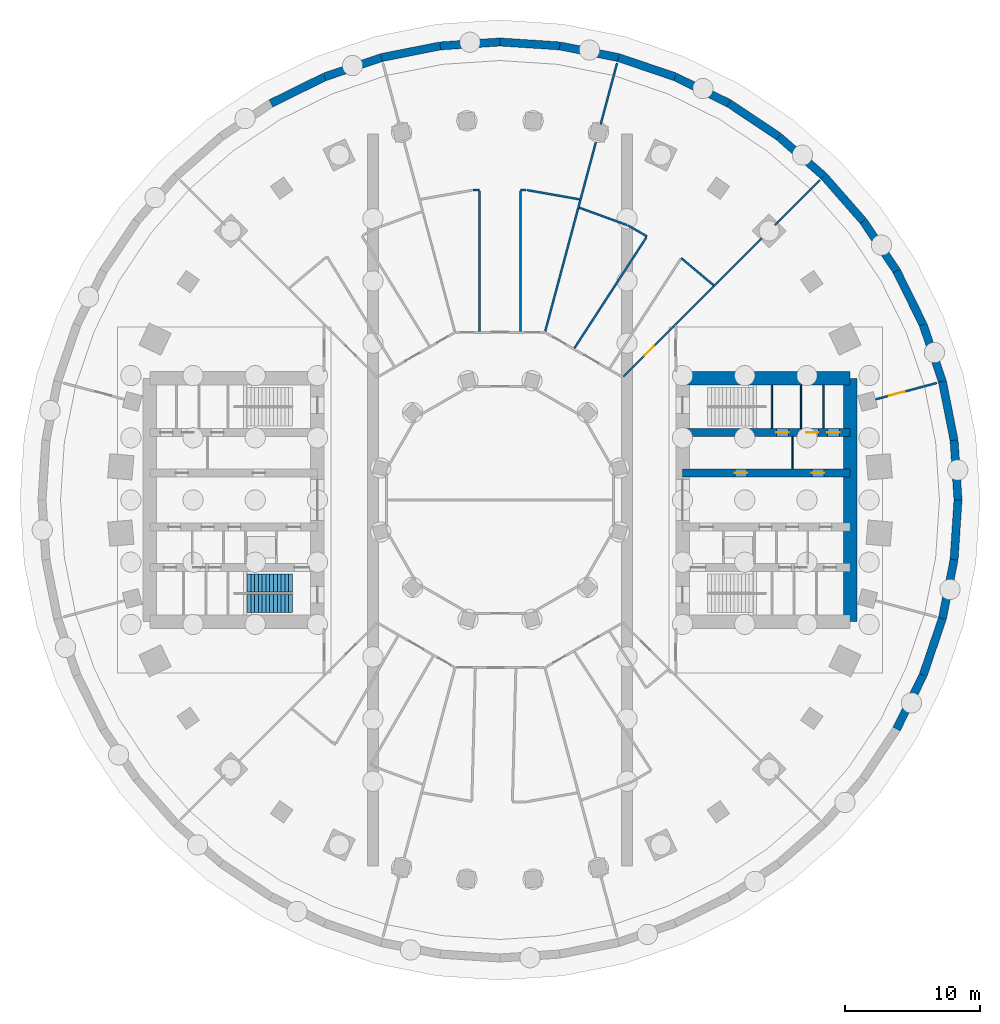
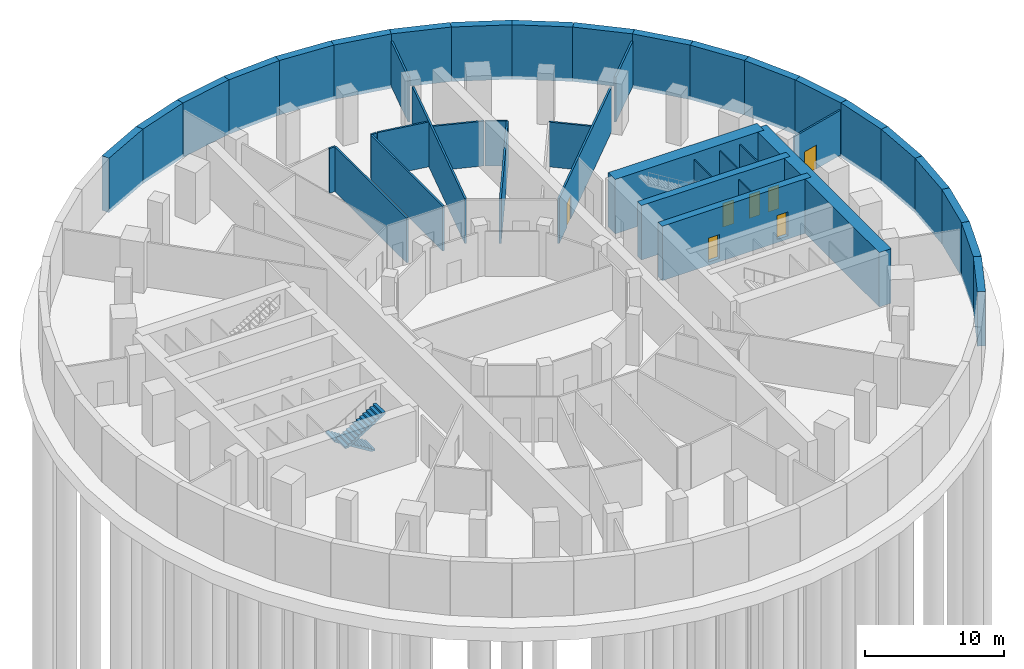
# One storey, part 7 of 10: 42 walls, 7 doors, 2 stair flights, 7 openings, 1 element without a shape of its own.
"""IFC4 building model written with IfcOpenShell, lengths in metres."""

from ifc_helpers import new_model, si_unit, direction, frame, frame_2d, origin, place, context, subcontext, project, spatial, polyline, rectangle, outline, extrude, material, layer, layer_set, type_object, element, fill, aggregate, save


model = new_model("IFC4")

# Units and contexts
model_context = context("Model", 3, precision=1e-05, world=origin(), true_north=direction((0.0, 1.0)))
body_context = subcontext(model_context, "Body", "Model", "MODEL_VIEW")
ifc_project = project(units=[si_unit("LENGTHUNIT", "METRE"), si_unit("AREAUNIT", "SQUARE_METRE"), si_unit("VOLUMEUNIT", "CUBIC_METRE"), si_unit("PLANEANGLEUNIT", "RADIAN"), si_unit("MASSUNIT", "GRAM", prefix="KILO")], contexts=[model_context])

# Site, building, storey
site_placement = place(None, origin())
site = spatial("IfcSite", under=ifc_project, at=site_placement, CompositionType="ELEMENT")
building_placement = place(site_placement, origin())
building = spatial("IfcBuilding", under=site, at=building_placement, Name="Saqina Gate Tower", CompositionType="ELEMENT")
storey_placement = place(building_placement, frame((0.0, 0.0, -9.0)))
storey = spatial("IfcBuildingStorey", under=building, at=storey_placement, Name="B2", CompositionType="ELEMENT", Elevation=-9.0)

# Walls
ifc_material_1 = material(Name="Gypsum board on steel studs", Category="steel")
ifc_layer_1 = layer(ifc_material_1, 0.10009765625)
ifc_layer_set_1 = layer_set([ifc_layer_1], Name="CORE PARTITION")
wall_type_1 = type_object("IfcWallType", Name="CORE PARTITION", PredefinedType="PARTITIONING", material=ifc_layer_set_1)
wall_1_placement = place(storey_placement, frame((21.637939453125, 2.300048828125, 0.0), z_axis=(0.0, 0.0, 1.0), x_axis=(0.0, 1.0, 0.0)))
element("IfcWall", 1, at=wall_1_placement, inside=storey, type_object=wall_type_1, Name="B2-CP-E01", PredefinedType="PARTITIONING", context=body_context, shape_type="SweptSolid", body=[
    extrude(rectangle(XDim=2.39990234375, YDim=0.10009765625, at=frame_2d((1.199951171875, 0.0))), origin(), (0.0, 0.0, 1.0), 3.949951171875),
])
for number, where, z_axis, x_axis, name in (
    (2, (22.256103515625, 5.300048828125, 0.0), (0.0, 0.0, 1.0), (0.0, 1.0, 0.0), "B2-CP-E07"),
    (3, (23.932861328125, 5.300048828125, 0.0), (0.0, 0.0, 1.0), (0.0, 1.0, 0.0), "B2-CP-E08"),
):
    element("IfcWall", number, at=place(storey_placement, frame(where, z_axis=z_axis, x_axis=x_axis)), inside=storey, type_object=wall_type_1, Name=name, PredefinedType="PARTITIONING", context=body_context, shape_type="SweptSolid", body=[
        extrude(rectangle(XDim=3.199951171875, YDim=0.10009765625, at=frame_2d((1.60009765625, 0.0))), origin(), (0.0, 0.0, 1.0), 3.949951171875),
    ])
ifc_material_2 = material(Name="Masonry block and plaster, 150 mm, fire rated", Category="masonry")
ifc_layer_2 = layer(ifc_material_2, 0.14990234375)
ifc_layer_set_2 = layer_set([ifc_layer_2], Name="SPECIAL PARTITION EI 60 150")
wall_type_2 = type_object("IfcWallType", Name="SPECIAL PARTITION EI 60 150", PredefinedType="PARTITIONING", material=ifc_layer_set_2)
wall_2_placement = place(storey_placement, frame((13.405029296875, 17.887939453125, 0.0), z_axis=(0.0, 0.0, 1.0), x_axis=(0.766130386508, -0.642685172436, 0.0)))
element("IfcWall", 4, at=wall_2_placement, inside=storey, type_object=wall_type_2, Name="PARTITION 017", PredefinedType="PARTITIONING", context=body_context, shape_type="SweptSolid", body=[
    extrude(rectangle(XDim=3.10693359375, YDim=0.14990234375, at=frame_2d((1.553466796875, 0.0))), origin(), (0.0, 0.0, 1.0), 3.949951171875),
])
wall_3_placement = place(storey_placement, frame((9.468994140625, 20.305908203125, 0.0), z_axis=(0.0, 0.0, 1.0), x_axis=(0.866092740453, -0.499883351328, 0.0)))
element("IfcWall", 5, at=wall_3_placement, inside=storey, type_object=wall_type_2, Name="PARTITION 024", PredefinedType="PARTITIONING", context=body_context, shape_type="SweptSolid", body=[
    extrude(rectangle(XDim=1.6201171875, YDim=0.14990234375, at=frame_2d((0.81005859375, 0.0))), origin(), (0.0, 0.0, 1.0), 3.949951171875),
])
wall_4_placement = place(storey_placement, frame((5.869384765625, 21.6162109375, 0.0), z_axis=(0.0, 0.0, 1.0), x_axis=(0.939696584941, -0.342009251703, 0.0)))
element("IfcWall", 6, at=wall_4_placement, inside=storey, type_object=wall_type_2, Name="PARTITION 026", PredefinedType="PARTITIONING", context=body_context, shape_type="SweptSolid", body=[
    extrude(rectangle(XDim=3.755615234375, YDim=0.14990234375, at=frame_2d((1.8779296875, 0.0))), origin(), (0.0, 0.0, 1.0), 3.949951171875),
])
wall_5_placement = place(storey_placement, frame((2.0048828125, 22.919921875, 0.0), z_axis=(0.0, 0.0, 1.0), x_axis=(0.984834721233, -0.173495163777, 0.0)))
element("IfcWall", 7, at=wall_5_placement, inside=storey, type_object=wall_type_2, Name="PARTITION 030", PredefinedType="PARTITIONING", context=body_context, shape_type="SweptSolid", body=[
    extrude(rectangle(XDim=3.935791015625, YDim=0.14990234375, at=frame_2d((1.9677734375, 0.0))), origin(), (0.0, 0.0, 1.0), 3.949951171875),
])
wall_6_placement = place(storey_placement, frame((-2.0048828125, 22.919921875, 0.0), z_axis=(0.0, 0.0, 1.0), x_axis=(1.0, 0.0, 0.0)))
element("IfcWall", 8, at=wall_6_placement, inside=storey, type_object=wall_type_2, Name="PARTITION 037", PredefinedType="PARTITIONING", context=body_context, shape_type="SweptSolid", body=[
    extrude(rectangle(XDim=0.5048828125, YDim=0.14990234375, at=frame_2d((0.25244140625, 0.0))), origin(), (0.0, 0.0, 1.0), 3.949951171875),
])
wall_7_placement = place(storey_placement, frame((1.5, 22.919921875, 0.0), z_axis=(0.0, 0.0, 1.0), x_axis=(1.0, 0.0, 0.0)))
element("IfcWall", 9, at=wall_7_placement, inside=storey, type_object=wall_type_2, Name="PARTITION 038", PredefinedType="PARTITIONING", context=body_context, shape_type="SweptSolid", body=[
    extrude(rectangle(XDim=0.429931640625, YDim=0.14990234375, at=frame_2d((0.21484375, 0.0))), origin(), (0.0, 0.0, 1.0), 3.949951171875),
])

# Wall, opening, door
wall_8_placement = place(storey_placement, frame((27.780029296875, 7.44384765625, 0.0), z_axis=(0.0, 0.0, 1.0), x_axis=(0.965934336634, 0.258787281972, 0.0)))
wall_8 = element("IfcWall", 10, at=wall_8_placement, inside=storey, type_object=wall_type_2, Name="PARTITION 042", PredefinedType="PARTITIONING", context=body_context, shape_type="SweptSolid", body=[
    extrude(rectangle(XDim=4.687744140625, YDim=0.14990234375, at=frame_2d((2.34375, 0.0))), origin(), (0.0, 0.0, 1.0), 3.949951171875),
])
opening_1_placement = place(wall_8_placement, frame((1.029541015625, 0.0, 0.0)))
opening_1 = element("IfcOpeningElement", 11, at=opening_1_placement, cuts=wall_8, Name="Opening B2-D01", PredefinedType="OPENING", context=body_context, shape_type="SweptSolid", body=[
    extrude(rectangle(XDim=1.199951171875, YDim=2.10009765625, at=frame_2d((0.60009765625, 1.050048828125))), frame((0.0, 0.0869140625, 0.0), z_axis=(0.0, -1.0, 0.0), x_axis=(1.0, 0.0, 0.0)), (0.0, 0.0, 1.0), 0.173828125),
])
ifc_material_3 = material(Name="Steel-framed fire door leaf, EI 60", Category="steel")
door_type_1 = type_object("IfcDoorType", Name="SPECIAL DOOR 1200 FIRE EI 60", OperationType="SINGLE_SWING_LEFT", PredefinedType="DOOR", material=ifc_material_3)
door_1_placement = place(opening_1_placement, origin())
door_1 = element("IfcDoor", 12, at=door_1_placement, inside=storey, type_object=door_type_1, Name="DOOR B2-D01", OperationType="SINGLE_SWING_LEFT", OverallHeight=2.10009765625, OverallWidth=1.199951171875, PredefinedType="DOOR", context=body_context, shape_type="SweptSolid", body=[
    extrude(rectangle(XDim=1.199951171875, YDim=2.10009765625, at=frame_2d((0.60009765625, 1.050048828125))), frame((0.0, 0.02490234375, 0.0), z_axis=(0.0, -1.0, 0.0), x_axis=(1.0, 0.0, 0.0)), (0.0, 0.0, 1.0), 0.050048828125),
])
fill(opening_1, door_1)

wall_9_placement = place(storey_placement, frame((9.1298828125, 9.1298828125, 0.0), z_axis=(0.0, 0.0, 1.0), x_axis=(0.707106781187, 0.707106781187, 0.0)))
wall_9 = element("IfcWall", 13, at=wall_9_placement, inside=storey, type_object=wall_type_2, Name="PARTITION 055", PredefinedType="PARTITIONING", context=body_context, shape_type="SweptSolid", body=[
    extrude(rectangle(XDim=14.628173828125, YDim=0.14990234375, at=frame_2d((7.31396484375, 0.0))), origin(), (0.0, 0.0, 1.0), 3.949951171875),
])
opening_2_placement = place(wall_9_placement, frame((2.201171875, 0.0, 0.0)))
opening_2 = element("IfcOpeningElement", 14, at=opening_2_placement, cuts=wall_9, Name="Opening B2-D03", PredefinedType="OPENING", context=body_context, shape_type="SweptSolid", body=[
    extrude(rectangle(XDim=1.0, YDim=2.10009765625, at=frame_2d((0.5, 1.050048828125))), frame((0.0, 0.0869140625, 0.0), z_axis=(0.0, -1.0, 0.0), x_axis=(1.0, 0.0, 0.0)), (0.0, 0.0, 1.0), 0.173828125),
])
ifc_material_4 = material(Name="Steel-framed fire door leaf, EI 60", Category="steel")
door_type_2 = type_object("IfcDoorType", Name="SPECIAL DOOR 1000 FIRE EI 60", OperationType="SINGLE_SWING_LEFT", PredefinedType="DOOR", material=ifc_material_4)
door_2_placement = place(opening_2_placement, origin())
door_2 = element("IfcDoor", 15, at=door_2_placement, inside=storey, type_object=door_type_2, Name="DOOR B2-D03", OperationType="SINGLE_SWING_LEFT", OverallHeight=2.10009765625, OverallWidth=1.0, PredefinedType="DOOR", context=body_context, shape_type="SweptSolid", body=[
    extrude(rectangle(XDim=1.0, YDim=2.10009765625, at=frame_2d((0.5, 1.050048828125))), frame((0.0, 0.02490234375, 0.0), z_axis=(0.0, -1.0, 0.0), x_axis=(1.0, 0.0, 0.0)), (0.0, 0.0, 1.0), 0.050048828125),
])
fill(opening_2, door_2)

# Walls
wall_10_placement = place(storey_placement, frame((20.33642578125, 20.33642578125, 0.0), z_axis=(0.0, 0.0, 1.0), x_axis=(0.707106781187, 0.707106781187, 0.0)))
element("IfcWall", 16, at=wall_10_placement, inside=storey, type_object=wall_type_2, Name="PARTITION 056", PredefinedType="PARTITIONING", context=body_context, shape_type="SweptSolid", body=[
    extrude(rectangle(XDim=4.687255859375, YDim=0.14990234375, at=frame_2d((2.34375, 0.0))), origin(), (0.0, 0.0, 1.0), 3.949951171875),
])
wall_11_placement = place(storey_placement, frame((5.502685546875, 11.227783203125, 0.0), z_axis=(0.0, 0.0, 1.0), x_axis=(0.544640091629, 0.838669881772, 0.0)))
element("IfcWall", 17, at=wall_11_placement, inside=storey, type_object=wall_type_2, Name="PARTITION 058", PredefinedType="PARTITIONING", context=body_context, shape_type="SweptSolid", body=[
    extrude(rectangle(XDim=9.78369140625, YDim=0.14990234375, at=frame_2d((4.891845703125, 0.0))), origin(), (0.0, 0.0, 1.0), 3.949951171875),
])
wall_12_placement = place(storey_placement, frame((3.34228515625, 12.472412109375, 0.0), z_axis=(0.0, 0.0, 1.0), x_axis=(0.258787532185, 0.965934269599, 0.0)))
element("IfcWall", 18, at=wall_12_placement, inside=storey, type_object=wall_type_2, Name="PARTITION 065", PredefinedType="PARTITIONING", context=body_context, shape_type="SweptSolid", body=[
    extrude(rectangle(XDim=14.62744140625, YDim=0.14990234375, at=frame_2d((7.313720703125, 0.0))), origin(), (0.0, 0.0, 1.0), 3.949951171875),
])
wall_13_placement = place(storey_placement, frame((7.443359375, 27.780029296875, 0.0), z_axis=(0.0, 0.0, 1.0), x_axis=(0.258787281972, 0.965934336634, 0.0)))
element("IfcWall", 19, at=wall_13_placement, inside=storey, type_object=wall_type_2, Name="PARTITION 066", PredefinedType="PARTITIONING", context=body_context, shape_type="SweptSolid", body=[
    extrude(rectangle(XDim=4.687744140625, YDim=0.14990234375, at=frame_2d((2.34375, 0.0))), origin(), (0.0, 0.0, 1.0), 3.949951171875),
])
for number, where, z_axis, x_axis, name in (
    (20, (1.5, 12.47509765625, 0.0), (0.0, 0.0, 1.0), (0.0, 1.0, 0.0), "PARTITION 072"),
    (21, (-1.5, 12.47509765625, 0.0), (0.0, 0.0, 1.0), (0.0, 1.0, 0.0), "PARTITION 073"),
):
    element("IfcWall", number, at=place(storey_placement, frame(where, z_axis=z_axis, x_axis=x_axis)), inside=storey, type_object=wall_type_2, Name=name, PredefinedType="PARTITIONING", context=body_context, shape_type="SweptSolid", body=[
        extrude(rectangle(XDim=10.369873046875, YDim=0.14990234375, at=frame_2d((5.18505859375, 0.0))), origin(), (0.0, 0.0, 1.0), 3.949951171875),
    ])
ifc_material_5 = material(Name="Autoclaved aerated concrete block", Category="concrete")
ifc_layer_3 = layer(ifc_material_5, 0.10009765625)
ifc_layer_set_3 = layer_set([ifc_layer_3], Name="STAIR ENCLOSURE WALL")
wall_type_3 = type_object("IfcWallType", Name="STAIR ENCLOSURE WALL", PredefinedType="PARTITIONING", material=ifc_layer_set_3)
wall_14_placement = place(storey_placement, frame((20.110107421875, 5.300048828125, 0.0), z_axis=(0.0, 0.0, 1.0), x_axis=(0.0, 1.0, 0.0)))
element("IfcWall", 22, at=wall_14_placement, inside=storey, type_object=wall_type_3, Name="B2-CP-E06", PredefinedType="PARTITIONING", context=body_context, shape_type="SweptSolid", body=[
    extrude(rectangle(XDim=3.199951171875, YDim=0.10009765625, at=frame_2d((1.60009765625, 0.0))), origin(), (0.0, 0.0, 1.0), 3.949951171875),
])

# Wall, openings, doors
ifc_material_6 = material(Name="Concrete C70/85", Category="concrete")
ifc_layer_4 = layer(ifc_material_6, 0.60009765625)
ifc_layer_set_4 = layer_set([ifc_layer_4], Name="Concrete C70/85")
wall_type_4 = type_object("IfcWallType", Name="STR-CORE WALL-P-I", PredefinedType="SHEAR", material=ifc_layer_set_4)
wall_15_placement = place(storey_placement, frame((13.5, 5.0, -0.300048828125), z_axis=(0.0, 0.0, 1.0), x_axis=(1.0, 0.0, 0.0)))
wall_15 = element("IfcWall", 23, at=wall_15_placement, inside=storey, type_object=wall_type_4, Name="CORE WALL B2 E-X1", PredefinedType="SHEAR", context=body_context, shape_type="SweptSolid", body=[
    extrude(rectangle(XDim=12.39990234375, YDim=0.60009765625, at=frame_2d((6.199951171875, 0.0))), origin(), (0.0, 0.0, 1.0), 4.800048828125),
])
opening_3_placement = place(wall_15_placement, frame((6.948974609375, 0.0, 0.300048828125)))
opening_3 = element("IfcOpeningElement", 24, at=opening_3_placement, cuts=wall_15, Name="Opening B2-D96", PredefinedType="OPENING", context=body_context, shape_type="SweptSolid", body=[
    extrude(rectangle(XDim=0.89990234375, YDim=2.10009765625, at=frame_2d((0.449951171875, 1.050048828125))), frame((0.0, 0.31201171875, 0.0), z_axis=(0.0, -1.0, 0.0), x_axis=(1.0, 0.0, 0.0)), (0.0, 0.0, 1.0), 0.6240234375),
])
opening_4_placement = place(wall_15_placement, frame((9.144287109375, 0.0, 0.300048828125)))
opening_4 = element("IfcOpeningElement", 25, at=opening_4_placement, cuts=wall_15, Name="Opening B2-D97", PredefinedType="OPENING", context=body_context, shape_type="SweptSolid", body=[
    extrude(rectangle(XDim=0.89990234375, YDim=2.10009765625, at=frame_2d((0.449951171875, 1.050048828125))), frame((0.0, 0.31201171875, 0.0), z_axis=(0.0, -1.0, 0.0), x_axis=(1.0, 0.0, 0.0)), (0.0, 0.0, 1.0), 0.6240234375),
])
opening_5_placement = place(wall_15_placement, frame((10.71630859375, 0.0, 0.300048828125)))
opening_5 = element("IfcOpeningElement", 26, at=opening_5_placement, cuts=wall_15, Name="Opening B2-D98", PredefinedType="OPENING", context=body_context, shape_type="SweptSolid", body=[
    extrude(rectangle(XDim=0.89990234375, YDim=2.10009765625, at=frame_2d((0.449951171875, 1.050048828125))), frame((0.0, 0.31201171875, 0.0), z_axis=(0.0, -1.0, 0.0), x_axis=(1.0, 0.0, 0.0)), (0.0, 0.0, 1.0), 0.6240234375),
])
ifc_material_7 = material(Name="Steel-framed fire door leaf, EI 60", Category="steel")
door_type_3 = type_object("IfcDoorType", Name="SERVICE ROOM DOOR 900", OperationType="SINGLE_SWING_LEFT", PredefinedType="DOOR", material=ifc_material_7)
door_3_placement = place(opening_3_placement, frame((0.89990234375, 0.0, 0.0), z_axis=(0.0, 0.0, 1.0), x_axis=(-1.0, 0.0, 0.0)))
door_3 = element("IfcDoor", 27, at=door_3_placement, inside=storey, type_object=door_type_3, Name="B2-CD-E07", OperationType="SINGLE_SWING_LEFT", OverallHeight=2.10009765625, OverallWidth=0.89990234375, PredefinedType="DOOR", context=body_context, shape_type="SweptSolid", body=[
    extrude(rectangle(XDim=0.89990234375, YDim=2.10009765625, at=frame_2d((0.449951171875, 1.050048828125))), frame((0.0, 0.02490234375, 0.0), z_axis=(0.0, -1.0, 0.0), x_axis=(1.0, 0.0, 0.0)), (0.0, 0.0, 1.0), 0.050048828125),
])
fill(opening_3, door_3)
door_4_placement = place(opening_4_placement, frame((0.89990234375, 0.0, 0.0), z_axis=(0.0, 0.0, 1.0), x_axis=(-1.0, 0.0, 0.0)))
door_4 = element("IfcDoor", 28, at=door_4_placement, inside=storey, type_object=door_type_3, Name="B2-CD-E08", OperationType="SINGLE_SWING_LEFT", OverallHeight=2.10009765625, OverallWidth=0.89990234375, PredefinedType="DOOR", context=body_context, shape_type="SweptSolid", body=[
    extrude(rectangle(XDim=0.89990234375, YDim=2.10009765625, at=frame_2d((0.449951171875, 1.050048828125))), frame((0.0, 0.02490234375, 0.0), z_axis=(0.0, -1.0, 0.0), x_axis=(1.0, 0.0, 0.0)), (0.0, 0.0, 1.0), 0.050048828125),
])
fill(opening_4, door_4)
door_5_placement = place(opening_5_placement, frame((0.89990234375, 0.0, 0.0), z_axis=(0.0, 0.0, 1.0), x_axis=(-1.0, 0.0, 0.0)))
door_5 = element("IfcDoor", 29, at=door_5_placement, inside=storey, type_object=door_type_3, Name="B2-CD-E09", OperationType="SINGLE_SWING_LEFT", OverallHeight=2.10009765625, OverallWidth=0.89990234375, PredefinedType="DOOR", context=body_context, shape_type="SweptSolid", body=[
    extrude(rectangle(XDim=0.89990234375, YDim=2.10009765625, at=frame_2d((0.449951171875, 1.050048828125))), frame((0.0, 0.02490234375, 0.0), z_axis=(0.0, -1.0, 0.0), x_axis=(1.0, 0.0, 0.0)), (0.0, 0.0, 1.0), 0.050048828125),
])
fill(opening_5, door_5)

wall_16_placement = place(storey_placement, frame((13.5, 2.0, -0.300048828125), z_axis=(0.0, 0.0, 1.0), x_axis=(1.0, 0.0, 0.0)))
wall_16 = element("IfcWall", 30, at=wall_16_placement, inside=storey, type_object=wall_type_4, Name="CORE WALL B2 E-L1", PredefinedType="SHEAR", context=body_context, shape_type="SweptSolid", body=[
    extrude(rectangle(XDim=12.39990234375, YDim=0.60009765625, at=frame_2d((6.199951171875, 0.0))), origin(), (0.0, 0.0, 1.0), 4.800048828125),
])
opening_6_placement = place(wall_16_placement, frame((3.868896484375, 0.0, 0.300048828125)))
opening_6 = element("IfcOpeningElement", 31, at=opening_6_placement, cuts=wall_16, Name="Opening B2-D90", PredefinedType="OPENING", context=body_context, shape_type="SweptSolid", body=[
    extrude(rectangle(XDim=0.89990234375, YDim=2.10009765625, at=frame_2d((0.449951171875, 1.050048828125))), frame((0.0, 0.31201171875, 0.0), z_axis=(0.0, -1.0, 0.0), x_axis=(1.0, 0.0, 0.0)), (0.0, 0.0, 1.0), 0.6240234375),
])
opening_7_placement = place(wall_16_placement, frame((9.569091796875, 0.0, 0.300048828125)))
opening_7 = element("IfcOpeningElement", 32, at=opening_7_placement, cuts=wall_16, Name="Opening B2-D91", PredefinedType="OPENING", context=body_context, shape_type="SweptSolid", body=[
    extrude(rectangle(XDim=0.89990234375, YDim=2.10009765625, at=frame_2d((0.449951171875, 1.050048828125))), frame((0.0, 0.31201171875, 0.0), z_axis=(0.0, -1.0, 0.0), x_axis=(1.0, 0.0, 0.0)), (0.0, 0.0, 1.0), 0.6240234375),
])
door_6_placement = place(opening_6_placement, origin())
door_6 = element("IfcDoor", 33, at=door_6_placement, inside=storey, type_object=door_type_3, Name="B2-CD-E01", OperationType="SINGLE_SWING_LEFT", OverallHeight=2.10009765625, OverallWidth=0.89990234375, PredefinedType="DOOR", context=body_context, shape_type="SweptSolid", body=[
    extrude(rectangle(XDim=0.89990234375, YDim=2.10009765625, at=frame_2d((0.449951171875, 1.050048828125))), frame((0.0, 0.02490234375, 0.0), z_axis=(0.0, -1.0, 0.0), x_axis=(1.0, 0.0, 0.0)), (0.0, 0.0, 1.0), 0.050048828125),
])
fill(opening_6, door_6)
door_7_placement = place(opening_7_placement, origin())
door_7 = element("IfcDoor", 34, at=door_7_placement, inside=storey, type_object=door_type_3, Name="B2-CD-E02", OperationType="SINGLE_SWING_RIGHT", OverallHeight=2.10009765625, OverallWidth=0.89990234375, PredefinedType="DOOR", context=body_context, shape_type="SweptSolid", body=[
    extrude(rectangle(XDim=0.89990234375, YDim=2.10009765625, at=frame_2d((0.449951171875, 1.050048828125))), frame((0.0, 0.02490234375, 0.0), z_axis=(0.0, -1.0, 0.0), x_axis=(1.0, 0.0, 0.0)), (0.0, 0.0, 1.0), 0.050048828125),
])
fill(opening_7, door_7)

# Walls
ifc_material_8 = material(Name="Concrete C70/85", Category="concrete")
ifc_layer_5 = layer(ifc_material_8, 1.0)
ifc_layer_set_5 = layer_set([ifc_layer_5], Name="Concrete C70/85")
wall_type_5 = type_object("IfcWallType", Name="STR-CORE WALL-P-O", PredefinedType="SHEAR", material=ifc_layer_set_5)
wall_17_placement = place(storey_placement, frame((25.89990234375, -9.0, -0.300048828125), z_axis=(0.0, 0.0, 1.0), x_axis=(0.0, 1.0, 0.0)))
element("IfcWall", 35, at=wall_17_placement, inside=storey, type_object=wall_type_5, Name="CORE WALL B2 E-W2", PredefinedType="SHEAR", context=body_context, shape_type="SweptSolid", body=[
    extrude(rectangle(XDim=18.0, YDim=1.0, at=frame_2d((9.0, 0.0))), origin(), (0.0, 0.0, 1.0), 4.800048828125),
])
wall_18_placement = place(storey_placement, frame((13.5, 9.0, -0.300048828125), z_axis=(0.0, 0.0, 1.0), x_axis=(1.0, 0.0, 0.0)))
element("IfcWall", 36, at=wall_18_placement, inside=storey, type_object=wall_type_5, Name="CORE WALL B2 E-NE", PredefinedType="SHEAR", context=body_context, shape_type="SweptSolid", body=[
    extrude(rectangle(XDim=12.39990234375, YDim=1.0, at=frame_2d((6.199951171875, 0.0))), origin(), (0.0, 0.0, 1.0), 4.800048828125),
])
ifc_material_9 = material(Name="Concrete C40/50", Category="concrete")
ifc_layer_6 = layer(ifc_material_9, 0.60009765625)
ifc_layer_set_6 = layer_set([ifc_layer_6], Name="Concrete C40/50")
wall_type_6 = type_object("IfcWallType", Name="STR-WALL-RETAINING", PredefinedType="SOLIDWALL", material=ifc_layer_set_6)
wall_19_placement = place(storey_placement, frame((33.87255859375, 0.0, -0.300048828125), z_axis=(0.0, 0.0, 1.0), x_axis=(-0.065407158232, 0.997858659156, 0.0)))
element("IfcWall", 37, at=wall_19_placement, inside=storey, type_object=wall_type_6, Name="BASEMENT RETAINING WALL 01", PredefinedType="SOLIDWALL", context=body_context, shape_type="SweptSolid", body=[
    extrude(rectangle(XDim=4.4306640625, YDim=0.60009765625, at=frame_2d((2.21533203125, 0.0))), origin(), (0.0, 0.0, 1.0), 4.800048828125),
])
wall_20_placement = place(storey_placement, frame((33.582763671875, 4.421142578125, -0.300048828125), z_axis=(0.0, 0.0, 1.0), x_axis=(-0.195109395659, 0.980781486227, 0.0)))
element("IfcWall", 38, at=wall_20_placement, inside=storey, type_object=wall_type_6, Name="BASEMENT RETAINING WALL 02", PredefinedType="SOLIDWALL", context=body_context, shape_type="SweptSolid", body=[
    extrude(rectangle(XDim=4.430908203125, YDim=0.60009765625, at=frame_2d((2.21533203125, 0.0))), origin(), (0.0, 0.0, 1.0), 4.800048828125),
])
wall_21_placement = place(storey_placement, frame((32.71826171875, 8.766845703125, -0.300048828125), z_axis=(0.0, 0.0, 1.0), x_axis=(-0.321413701295, 0.946938874807, 0.0)))
element("IfcWall", 39, at=wall_21_placement, inside=storey, type_object=wall_type_6, Name="BASEMENT RETAINING WALL 03", PredefinedType="SOLIDWALL", context=body_context, shape_type="SweptSolid", body=[
    extrude(rectangle(XDim=4.4306640625, YDim=0.60009765625, at=frame_2d((2.21533203125, 0.0))), origin(), (0.0, 0.0, 1.0), 4.800048828125),
])
for number, where, z_axis, x_axis, name in (
    (40, (31.294189453125, 12.96240234375, -0.300048828125), (0.0, 0.0, 1.0), (-0.442291876975, 0.896871169992, 0.0), "BASEMENT RETAINING WALL 04"),
    (41, (29.33447265625, 16.936279296875, -0.300048828125), (0.0, 0.0, 1.0), (-0.555577255626, 0.831464919904, 0.0), "BASEMENT RETAINING WALL 05"),
):
    element("IfcWall", number, at=place(storey_placement, frame(where, z_axis=z_axis, x_axis=x_axis)), inside=storey, type_object=wall_type_6, Name=name, PredefinedType="SOLIDWALL", context=body_context, shape_type="SweptSolid", body=[
        extrude(rectangle(XDim=4.430908203125, YDim=0.60009765625, at=frame_2d((2.21533203125, 0.0))), origin(), (0.0, 0.0, 1.0), 4.800048828125),
    ])
for number, where, z_axis, x_axis, name in (
    (42, (26.872802734375, 20.620361328125, -0.300048828125), (0.0, 0.0, 1.0), (-0.659362420985, 0.751825244185, 0.0), "BASEMENT RETAINING WALL 06"),
    (43, (23.951416015625, 23.951416015625, -0.300048828125), (0.0, 0.0, 1.0), (-0.751825244185, 0.659362420985, 0.0), "BASEMENT RETAINING WALL 07"),
):
    element("IfcWall", number, at=place(storey_placement, frame(where, z_axis=z_axis, x_axis=x_axis)), inside=storey, type_object=wall_type_6, Name=name, PredefinedType="SOLIDWALL", context=body_context, shape_type="SweptSolid", body=[
        extrude(rectangle(XDim=4.4306640625, YDim=0.60009765625, at=frame_2d((2.21533203125, 0.0))), origin(), (0.0, 0.0, 1.0), 4.800048828125),
    ])
for number, where, z_axis, x_axis, name in (
    (44, (20.620361328125, 26.872802734375, -0.300048828125), (0.0, 0.0, 1.0), (-0.831464919904, 0.555577255626, 0.0), "BASEMENT RETAINING WALL 08"),
    (45, (16.936279296875, 29.33447265625, -0.300048828125), (0.0, 0.0, 1.0), (-0.896871169992, 0.442291876975, 0.0), "BASEMENT RETAINING WALL 09"),
):
    element("IfcWall", number, at=place(storey_placement, frame(where, z_axis=z_axis, x_axis=x_axis)), inside=storey, type_object=wall_type_6, Name=name, PredefinedType="SOLIDWALL", context=body_context, shape_type="SweptSolid", body=[
        extrude(rectangle(XDim=4.430908203125, YDim=0.60009765625, at=frame_2d((2.21533203125, 0.0))), origin(), (0.0, 0.0, 1.0), 4.800048828125),
    ])
wall_22_placement = place(storey_placement, frame((12.96240234375, 31.294189453125, -0.300048828125), z_axis=(0.0, 0.0, 1.0), x_axis=(-0.946938874807, 0.321413701295, 0.0)))
element("IfcWall", 46, at=wall_22_placement, inside=storey, type_object=wall_type_6, Name="BASEMENT RETAINING WALL 10", PredefinedType="SOLIDWALL", context=body_context, shape_type="SweptSolid", body=[
    extrude(rectangle(XDim=4.4306640625, YDim=0.60009765625, at=frame_2d((2.21533203125, 0.0))), origin(), (0.0, 0.0, 1.0), 4.800048828125),
])
wall_23_placement = place(storey_placement, frame((8.766845703125, 32.71826171875, -0.300048828125), z_axis=(0.0, 0.0, 1.0), x_axis=(-0.980781486227, 0.195109395659, 0.0)))
element("IfcWall", 47, at=wall_23_placement, inside=storey, type_object=wall_type_6, Name="BASEMENT RETAINING WALL 11", PredefinedType="SOLIDWALL", context=body_context, shape_type="SweptSolid", body=[
    extrude(rectangle(XDim=4.430908203125, YDim=0.60009765625, at=frame_2d((2.21533203125, 0.0))), origin(), (0.0, 0.0, 1.0), 4.800048828125),
])
for number, where, z_axis, x_axis, name in (
    (48, (4.421142578125, 33.582763671875, -0.300048828125), (0.0, 0.0, 1.0), (-0.997858659156, 0.065407158232, 0.0), "BASEMENT RETAINING WALL 12"),
    (49, (0.0, 33.87255859375, -0.300048828125), (0.0, 0.0, 1.0), (-0.997858659156, -0.065407158232, 0.0), "BASEMENT RETAINING WALL 13"),
):
    element("IfcWall", number, at=place(storey_placement, frame(where, z_axis=z_axis, x_axis=x_axis)), inside=storey, type_object=wall_type_6, Name=name, PredefinedType="SOLIDWALL", context=body_context, shape_type="SweptSolid", body=[
        extrude(rectangle(XDim=4.4306640625, YDim=0.60009765625, at=frame_2d((2.21533203125, 0.0))), origin(), (0.0, 0.0, 1.0), 4.800048828125),
    ])
wall_24_placement = place(storey_placement, frame((-4.421142578125, 33.582763671875, -0.300048828125), z_axis=(0.0, 0.0, 1.0), x_axis=(-0.980781486227, -0.195109395659, 0.0)))
element("IfcWall", 50, at=wall_24_placement, inside=storey, type_object=wall_type_6, Name="BASEMENT RETAINING WALL 14", PredefinedType="SOLIDWALL", context=body_context, shape_type="SweptSolid", body=[
    extrude(rectangle(XDim=4.430908203125, YDim=0.60009765625, at=frame_2d((2.21533203125, 0.0))), origin(), (0.0, 0.0, 1.0), 4.800048828125),
])
wall_25_placement = place(storey_placement, frame((-8.766845703125, 32.71826171875, -0.300048828125), z_axis=(0.0, 0.0, 1.0), x_axis=(-0.946938874807, -0.321413701295, 0.0)))
element("IfcWall", 51, at=wall_25_placement, inside=storey, type_object=wall_type_6, Name="BASEMENT RETAINING WALL 15", PredefinedType="SOLIDWALL", context=body_context, shape_type="SweptSolid", body=[
    extrude(rectangle(XDim=4.4306640625, YDim=0.60009765625, at=frame_2d((2.21533203125, 0.0))), origin(), (0.0, 0.0, 1.0), 4.800048828125),
])
for number, where, z_axis, x_axis, name in (
    (52, (-12.96240234375, 31.294189453125, -0.300048828125), (0.0, 0.0, 1.0), (-0.896871169992, -0.442291876975, 0.0), "BASEMENT RETAINING WALL 16"),
    (53, (29.33447265625, -16.936279296875, -0.300048828125), (0.0, 0.0, 1.0), (0.442291876975, 0.896871169992, 0.0), "BASEMENT RETAINING WALL 45"),
):
    element("IfcWall", number, at=place(storey_placement, frame(where, z_axis=z_axis, x_axis=x_axis)), inside=storey, type_object=wall_type_6, Name=name, PredefinedType="SOLIDWALL", context=body_context, shape_type="SweptSolid", body=[
        extrude(rectangle(XDim=4.430908203125, YDim=0.60009765625, at=frame_2d((2.21533203125, 0.0))), origin(), (0.0, 0.0, 1.0), 4.800048828125),
    ])
wall_26_placement = place(storey_placement, frame((31.294189453125, -12.96240234375, -0.300048828125), z_axis=(0.0, 0.0, 1.0), x_axis=(0.321413701295, 0.946938874807, 0.0)))
element("IfcWall", 54, at=wall_26_placement, inside=storey, type_object=wall_type_6, Name="BASEMENT RETAINING WALL 46", PredefinedType="SOLIDWALL", context=body_context, shape_type="SweptSolid", body=[
    extrude(rectangle(XDim=4.4306640625, YDim=0.60009765625, at=frame_2d((2.21533203125, 0.0))), origin(), (0.0, 0.0, 1.0), 4.800048828125),
])
wall_27_placement = place(storey_placement, frame((32.71826171875, -8.766845703125, -0.300048828125), z_axis=(0.0, 0.0, 1.0), x_axis=(0.195109395659, 0.980781486227, 0.0)))
element("IfcWall", 55, at=wall_27_placement, inside=storey, type_object=wall_type_6, Name="BASEMENT RETAINING WALL 47", PredefinedType="SOLIDWALL", context=body_context, shape_type="SweptSolid", body=[
    extrude(rectangle(XDim=4.430908203125, YDim=0.60009765625, at=frame_2d((2.21533203125, 0.0))), origin(), (0.0, 0.0, 1.0), 4.800048828125),
])
wall_28_placement = place(storey_placement, frame((33.582763671875, -4.421142578125, -0.300048828125), z_axis=(0.0, 0.0, 1.0), x_axis=(0.065407158232, 0.997858659156, 0.0)))
element("IfcWall", 56, at=wall_28_placement, inside=storey, type_object=wall_type_6, Name="BASEMENT RETAINING WALL 48", PredefinedType="SOLIDWALL", context=body_context, shape_type="SweptSolid", body=[
    extrude(rectangle(XDim=4.4306640625, YDim=0.60009765625, at=frame_2d((2.21533203125, 0.0))), origin(), (0.0, 0.0, 1.0), 4.800048828125),
])

# Stair, stair flights
ifc_material_10 = material(Name="Concrete C40/50", Category="concrete")
stair_type = type_object("IfcStairType", Name="EXIT STAIR", PredefinedType="HALF_TURN_STAIR", material=ifc_material_10)
stair_placement = place(storey_placement, origin())
stair = element("IfcStair", 57, at=stair_placement, inside=storey, type_object=stair_type, Name="EXIT STAIR 4", PredefinedType="HALF_TURN_STAIR")
ifc_material_11 = material(Name="Concrete C40/50", Category="concrete")
stair_flight_type = type_object("IfcStairFlightType", Name="EXIT STAIR FLIGHT", PredefinedType="STRAIGHT", material=ifc_material_11)
stair_flight_1_placement = place(storey_placement, frame((-15.35009765625, -6.1416015625, 0.0), z_axis=(0.0, 0.0, 1.0), x_axis=(-1.0, 0.0, 0.0)))
stair_flight_1 = element("IfcStairFlight", 58, at=stair_flight_1_placement, type_object=stair_flight_type, Name="EXIT STAIR 4 FLIGHT 1", NumberOfRisers=13, NumberOfTreads=12, PredefinedType="STRAIGHT", RiserHeight=0.173076923, TreadLength=0.28, context=body_context, shape_type="SweptSolid", body=[
    extrude(outline(polyline([(0.0, 0.0), (0.0, 0.173095703125), (0.280029296875, 0.173095703125), (0.280029296875, 0.34619140625), (0.56005859375, 0.34619140625), (0.56005859375, 0.519287109375), (0.840087890625, 0.519287109375), (0.840087890625, 0.6923828125), (1.1201171875, 0.6923828125), (1.1201171875, 0.865478515625), (1.39990234375, 0.865478515625), (1.39990234375, 1.03857421875), (1.679931640625, 1.03857421875), (1.679931640625, 1.21142578125), (1.9599609375, 1.21142578125), (1.9599609375, 1.384521484375), (2.239990234375, 1.384521484375), (2.239990234375, 1.5576171875), (2.52001953125, 1.5576171875), (2.52001953125, 1.730712890625), (2.800048828125, 1.730712890625), (2.800048828125, 1.90380859375), (3.080078125, 1.90380859375), (3.080078125, 2.076904296875), (3.360107421875, 2.076904296875), (3.360107421875, 2.25), (3.360107421875, 1.900634765625), (0.28515625, 0.0), (0.0, 0.0)])), frame((0.0, 0.675048828125, 0.0), z_axis=(0.0, -1.0, 0.0), x_axis=(1.0, 0.0, 0.0)), (0.0, 0.0, 1.0), 1.35009765625),
])
stair_flight_2_placement = place(storey_placement, frame((-18.7099609375, -7.658447265625, 2.25), z_axis=(0.0, 0.0, 1.0), x_axis=(1.0, 0.0, 0.0)))
stair_flight_2 = element("IfcStairFlight", 59, at=stair_flight_2_placement, type_object=stair_flight_type, Name="EXIT STAIR 4 FLIGHT 2", NumberOfRisers=13, NumberOfTreads=12, PredefinedType="STRAIGHT", RiserHeight=0.173076923, TreadLength=0.28, context=body_context, shape_type="SweptSolid", body=[
    extrude(outline(polyline([(0.0, 0.0), (0.0, 0.173095703125), (0.280029296875, 0.173095703125), (0.280029296875, 0.34619140625), (0.56005859375, 0.34619140625), (0.56005859375, 0.519287109375), (0.840087890625, 0.519287109375), (0.840087890625, 0.6923828125), (1.1201171875, 0.6923828125), (1.1201171875, 0.865478515625), (1.39990234375, 0.865478515625), (1.39990234375, 1.03857421875), (1.679931640625, 1.03857421875), (1.679931640625, 1.21142578125), (1.9599609375, 1.21142578125), (1.9599609375, 1.384521484375), (2.239990234375, 1.384521484375), (2.239990234375, 1.5576171875), (2.52001953125, 1.5576171875), (2.52001953125, 1.730712890625), (2.800048828125, 1.730712890625), (2.800048828125, 1.90380859375), (3.080078125, 1.90380859375), (3.080078125, 2.076904296875), (3.360107421875, 2.076904296875), (3.360107421875, 2.25), (3.360107421875, 1.900634765625), (0.28515625, 0.0), (0.0, 0.0)])), frame((0.0, 0.675048828125, 0.0), z_axis=(0.0, -1.0, 0.0), x_axis=(1.0, 0.0, 0.0)), (0.0, 0.0, 1.0), 1.35009765625),
])
aggregate(stair, [stair_flight_1, stair_flight_2])

save(model, "model.ifc")
